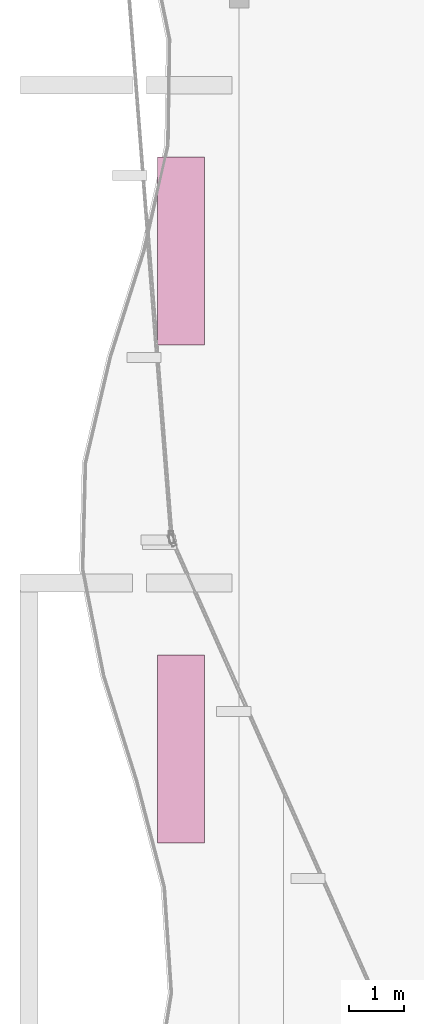
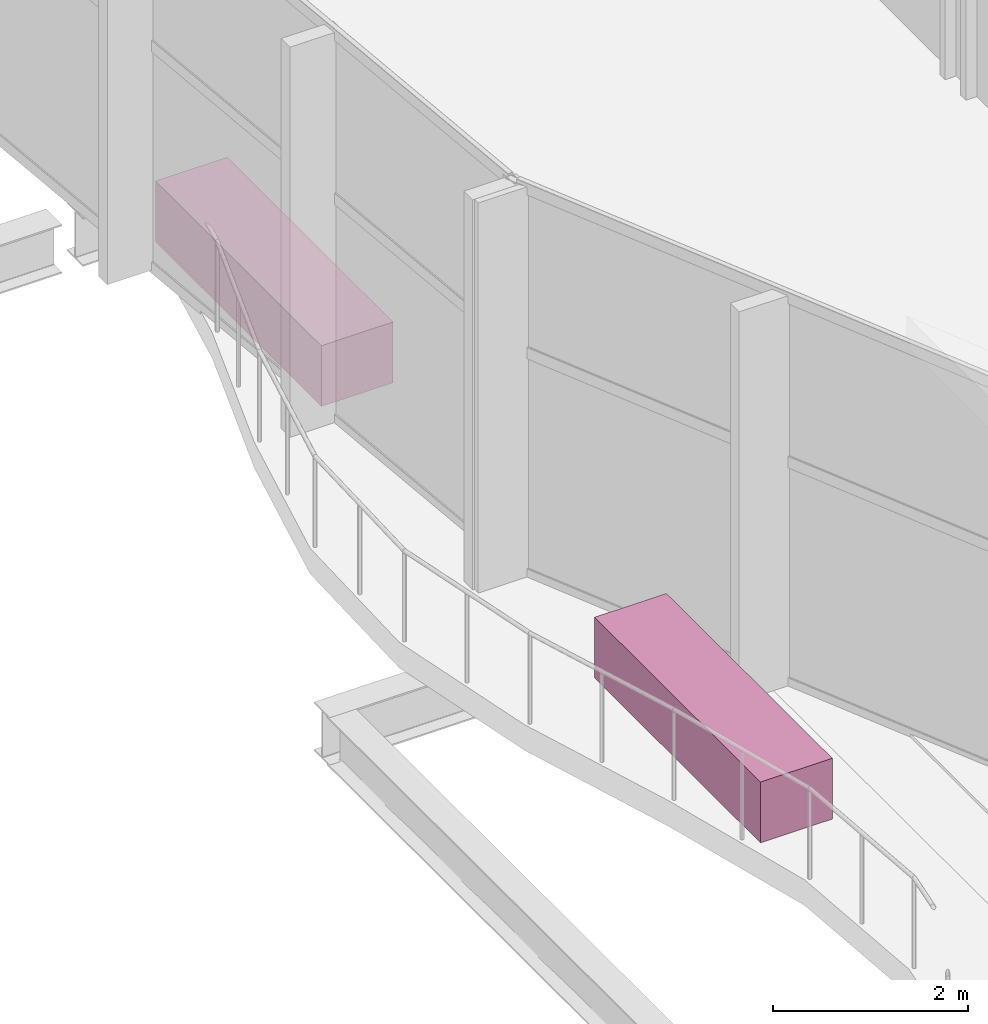
# One storey, part 33 of 33: 2 furnishings.
"""IFC4 building model written with IfcOpenShell, lengths in metres."""

from ifc_helpers import new_model, si_unit, direction, frame, origin, origin_2d, place, context, subcontext, project, spatial, rectangle, extrude, material, type_object, element, save


model = new_model("IFC4")

# Units and contexts
model_context = context("Model", 3, precision=1e-05, world=origin(), true_north=direction((0.0, 1.0)))
body_context = subcontext(model_context, "Body", "Model", "MODEL_VIEW")
ifc_project = project(units=[si_unit("LENGTHUNIT", "METRE"), si_unit("AREAUNIT", "SQUARE_METRE"), si_unit("VOLUMEUNIT", "CUBIC_METRE"), si_unit("PLANEANGLEUNIT", "RADIAN"), si_unit("MASSUNIT", "GRAM", prefix="KILO")], contexts=[model_context])

# Site, building, storey
site_placement = place(None, origin())
site = spatial("IfcSite", under=ifc_project, at=site_placement, CompositionType="ELEMENT")
building_placement = place(site_placement, origin())
building = spatial("IfcBuilding", under=site, at=building_placement, Name="Solvaryn Broadcast Tower", CompositionType="ELEMENT")
storey_placement = place(building_placement, frame((0.0, 0.0, 5.800048828125)))
storey = spatial("IfcBuildingStorey", under=building, at=storey_placement, Name="L01", CompositionType="ELEMENT", Elevation=5.800048828125)

# Furnishings
ifc_material = material(Name="Architectural Terracotta Planter Bed", Category="masonry")
furnishing_element_type = type_object("IfcFurnishingElementType", Name="PLB-01 Garden Planter Bed", material=ifc_material)
for number, where, z_axis, x_axis, name in (
    (1, (0.75, 18.0, 0.0), (0.0, 0.0, 1.0), (1.0, 0.0, 0.0), "L01 Planted Terrace Planter PLANTER-TS-POD-L01-W-1"),
    (2, (0.75, 27.0, 0.0), (0.0, 0.0, 1.0), (1.0, 0.0, 0.0), "L01 Planted Terrace Planter PLANTER-TS-POD-L01-W-2"),
):
    element("IfcFurnishingElement", number, at=place(storey_placement, frame(where, z_axis=z_axis, x_axis=x_axis)), inside=storey, type_object=furnishing_element_type, Name=name, ObjectType="PLANTER", context=body_context, shape_type="SweptSolid", body=[
        extrude(rectangle(XDim=0.85009765625, YDim=3.39990234375, at=origin_2d()), origin(), (0.0, 0.0, 1.0), 0.760009765625),
    ])

save(model, "model.ifc")
